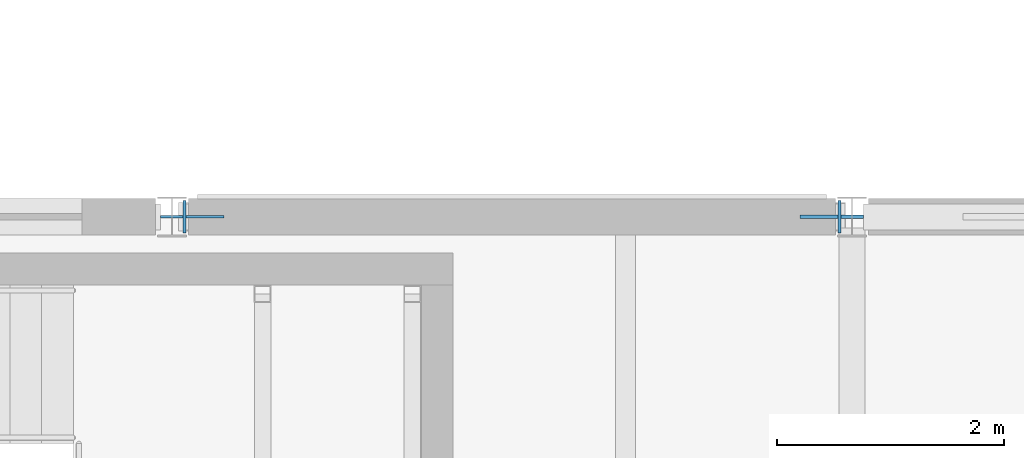
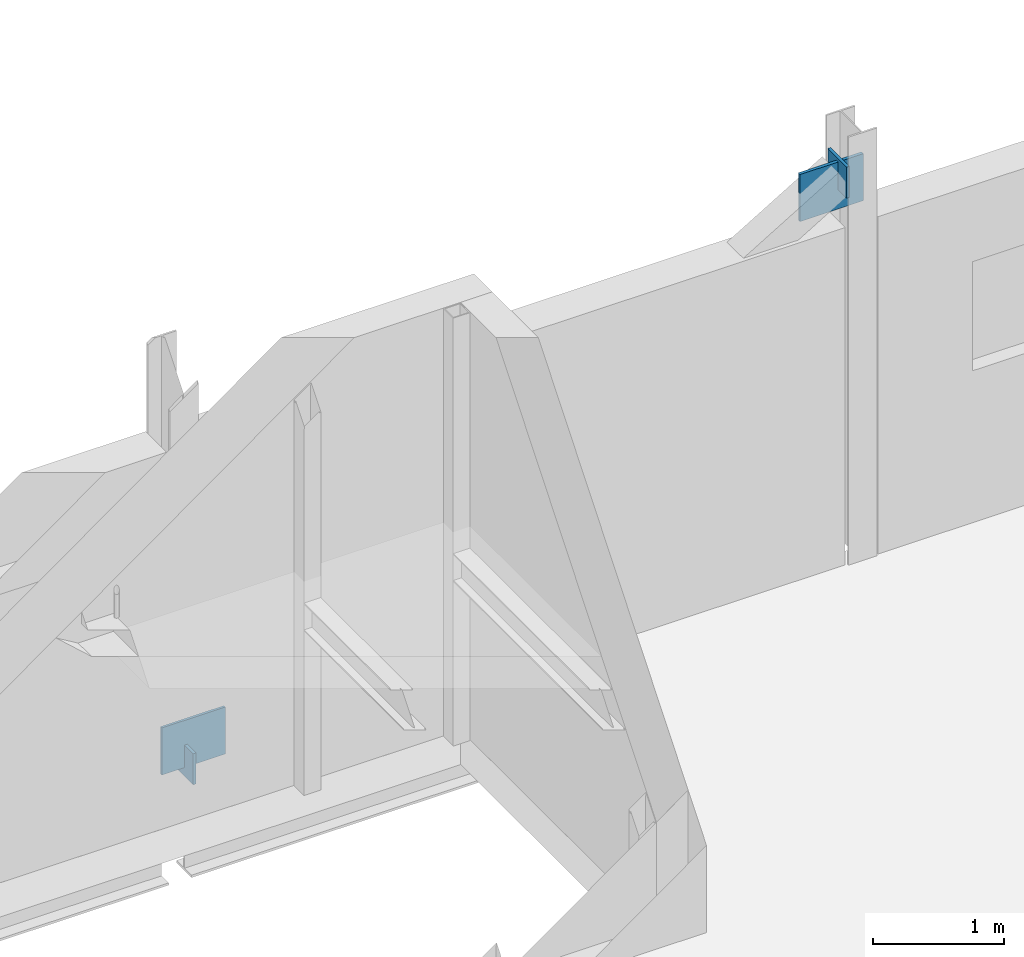
# One storey, part 57 of 92: 4 plates.
"""IFC4 building model written with IfcOpenShell, lengths in metres."""

from ifc_helpers import new_model, si_unit, direction, frame, origin, origin_2d, place, context, subcontext, project, spatial, rectangle, extrude, material, layer, layer_set, type_object, element, save


model = new_model("IFC4")

# Units and contexts
model_context = context("Model", 3, precision=1e-05, world=origin(), true_north=direction((0.0, 1.0)))
body_context = subcontext(model_context, "Body", "Model", "MODEL_VIEW")
ifc_project = project(units=[si_unit("LENGTHUNIT", "METRE"), si_unit("AREAUNIT", "SQUARE_METRE"), si_unit("VOLUMEUNIT", "CUBIC_METRE"), si_unit("PLANEANGLEUNIT", "RADIAN"), si_unit("MASSUNIT", "GRAM", prefix="KILO")], contexts=[model_context])

# Site, building, storey
site_placement = place(None, origin())
site = spatial("IfcSite", under=ifc_project, at=site_placement, CompositionType="ELEMENT")
building_placement = place(site_placement, origin())
building = spatial("IfcBuilding", under=site, at=building_placement, Name="Siltcreek Boulevard Central Fire Station", CompositionType="ELEMENT")
storey_placement = place(building_placement, frame((0.0, 0.0, 6.0)))
storey = spatial("IfcBuildingStorey", under=building, at=storey_placement, Name="L02", CompositionType="ELEMENT", Elevation=6.0)

# Plates
ifc_material = material(Name="Structural steel ASTM A572 Gr50", Category="steel")
ifc_layer_1 = layer(ifc_material, 0.02490234375, Name="Structural steel ASTM A572 Gr50")
ifc_layer_set_1 = layer_set([ifc_layer_1], Name="Structural steel ASTM A572 Gr50")
plate_type_1 = type_object("IfcPlateType", Name="PL_CAP25", PredefinedType="USERDEFINED", material=ifc_layer_set_1)
for number, where, z_axis, x_axis, name in (
    (1, (72.111083984375, 54.0, -0.050537109375), (0.0, 0.0, 1.0), (1.0, 0.0, 0.0), "L02 buckling-restrained brace BR-011 sealed end cap 1"),
    (2, (77.888916015625, 54.0, 3.410400390625), (0.0, 0.0, 1.0), (1.0, 0.0, 0.0), "L02 buckling-restrained brace BR-011 sealed end cap 2"),
):
    element("IfcPlate", number, at=place(storey_placement, frame(where, z_axis=z_axis, x_axis=x_axis)), inside=storey, type_object=plate_type_1, Name=name, ObjectType="END CAP", PredefinedType="USERDEFINED", context=body_context, shape_type="SweptSolid", body=[
        extrude(rectangle(XDim=0.02490234375, YDim=0.2900390625, at=origin_2d()), origin(), (0.0, 0.0, 1.0), 0.2900390625),
    ])
ifc_layer_2 = layer(ifc_material, 0.02197265625, Name="Structural steel ASTM A572 Gr50")
ifc_layer_set_2 = layer_set([ifc_layer_2], Name="Structural steel ASTM A572 Gr50")
plate_type_2 = type_object("IfcPlateType", Name="PL_GUS22", PredefinedType="USERDEFINED", material=ifc_layer_set_2)
plate_1_placement = place(storey_placement, frame((72.179931640625, 54.0, 0.030029296875), z_axis=(0.0, 0.0, 1.0), x_axis=(1.0, 0.0, 0.0)))
element("IfcPlate", 3, at=plate_1_placement, inside=storey, type_object=plate_type_2, Name="Seismic brace bot gusset plate GP-055", ObjectType="GUSSET PLATE", PredefinedType="USERDEFINED", context=body_context, shape_type="SweptSolid", body=[
    extrude(rectangle(XDim=0.56005859375, YDim=0.02197265625, at=origin_2d()), origin(), (0.0, 0.0, 1.0), 0.43994140625),
])
ifc_layer_3 = layer(ifc_material, 0.028076171875, Name="Structural steel ASTM A572 Gr50")
ifc_layer_set_3 = layer_set([ifc_layer_3], Name="Structural steel ASTM A572 Gr50")
plate_type_3 = type_object("IfcPlateType", Name="PL_GUS28", PredefinedType="USERDEFINED", material=ifc_layer_set_3)
plate_2_placement = place(storey_placement, frame((77.820068359375, 54.0, 3.22998046875), z_axis=(0.0, 0.0, 1.0), x_axis=(1.0, 0.0, 0.0)))
element("IfcPlate", 4, at=plate_2_placement, inside=storey, type_object=plate_type_3, Name="Seismic brace top gusset plate GP-056", ObjectType="GUSSET PLATE", PredefinedType="USERDEFINED", context=body_context, shape_type="SweptSolid", body=[
    extrude(rectangle(XDim=0.56005859375, YDim=0.028076171875, at=origin_2d()), origin(), (0.0, 0.0, 1.0), 0.43994140625),
])

save(model, "model.ifc")
